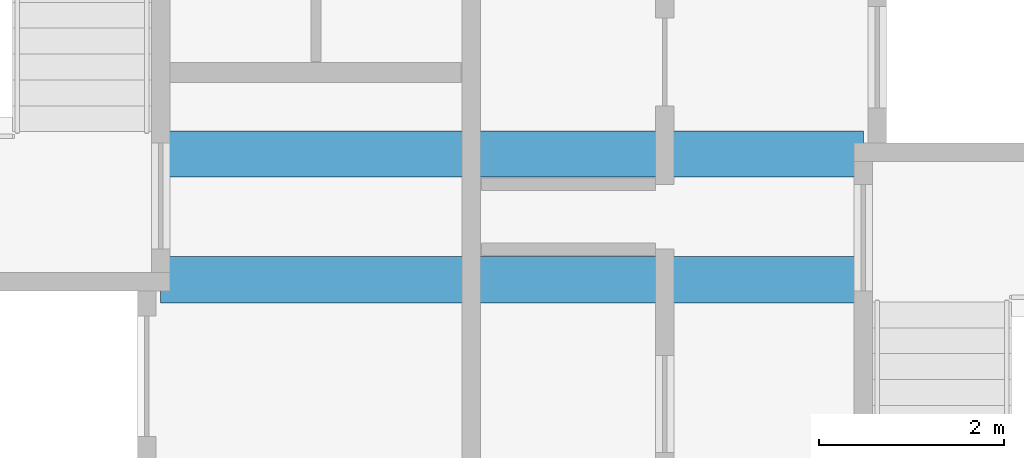
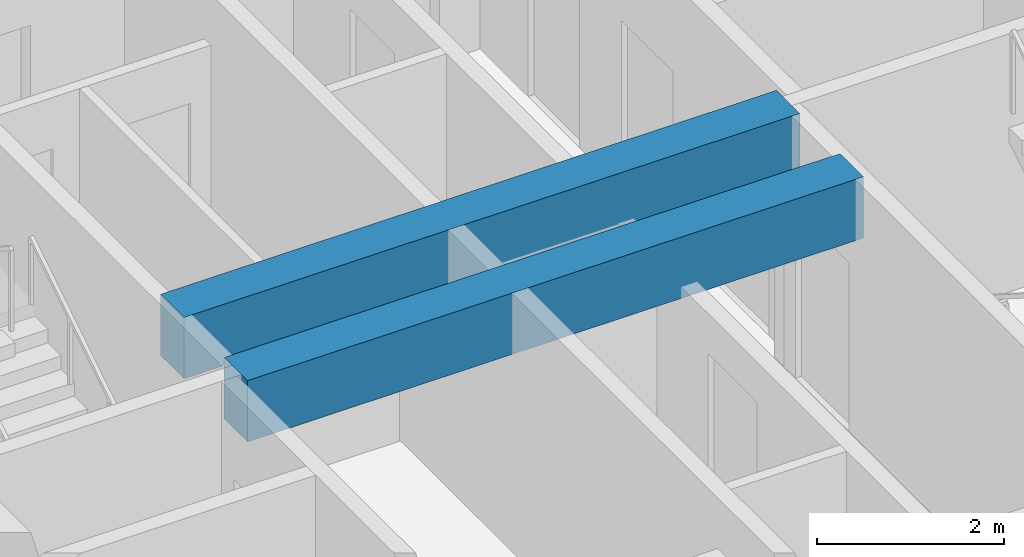
# One storey, part 10 of 24: 2 beams.
"""IFC4 building model written with IfcOpenShell, lengths in metres."""

from ifc_helpers import new_model, si_unit, direction, frame, origin, origin_2d, place, context, subcontext, project, spatial, rectangle, extrude, material, material_profile, profile_set, type_object, element, save


model = new_model("IFC4")

# Units and contexts
model_context = context("Model", 3, precision=1e-05, world=origin(), true_north=direction((0.0, 1.0)))
body_context = subcontext(model_context, "Body", "Model", "MODEL_VIEW")
ifc_project = project(units=[si_unit("LENGTHUNIT", "METRE"), si_unit("AREAUNIT", "SQUARE_METRE"), si_unit("VOLUMEUNIT", "CUBIC_METRE"), si_unit("PLANEANGLEUNIT", "RADIAN"), si_unit("MASSUNIT", "GRAM", prefix="KILO")], contexts=[model_context])

# Site, building, storey
site_placement = place(None, origin())
site = spatial("IfcSite", under=ifc_project, at=site_placement, CompositionType="ELEMENT")
building_placement = place(site_placement, origin())
building = spatial("IfcBuilding", under=site, at=building_placement, Name="Tashvorn Skyway Center", CompositionType="ELEMENT")
storey_placement = place(building_placement, frame((0.0, 0.0, 270.5)))
storey = spatial("IfcBuildingStorey", under=building, at=storey_placement, Name="L73", CompositionType="ELEMENT", Elevation=270.5)

# Beams
ifc_material = material(Name="Concrete C50/60", Category="concrete")
ifc_material_profile = material_profile(ifc_material, rectangle(XDim=0.5, YDim=0.800048828125, at=origin_2d()), Name="RCB500x800")
ifc_profile_set = profile_set([ifc_material_profile], Name="Concrete C50/60")
beam_type = type_object("IfcBeamType", Name="BM-LINTEL-RCB500x800", PredefinedType="LINTEL", material=ifc_profile_set)
for number, where, z_axis, x_axis, name in (
    (1, (38.199951171875, 32.679931640625, 2.969970703125), (1.0, 0.0, 0.0), (0.0, 1.0, 0.0), "Tower 1 L73 Core Coupling Beam CN"),
    (2, (38.199951171875, 31.320068359375, 2.969970703125), (1.0, 0.0, 0.0), (0.0, 1.0, 0.0), "Tower 1 L73 Core Coupling Beam CS"),
):
    element("IfcBeam", number, at=place(storey_placement, frame(where, z_axis=z_axis, x_axis=x_axis)), inside=storey, type_object=beam_type, Name=name, PredefinedType="LINTEL", context=body_context, shape_type="SweptSolid", body=[
        extrude(rectangle(XDim=0.5, YDim=0.800048828125, at=origin_2d()), origin(), (0.0, 0.0, 1.0), 7.60009765625),
    ])

save(model, "model.ifc")
